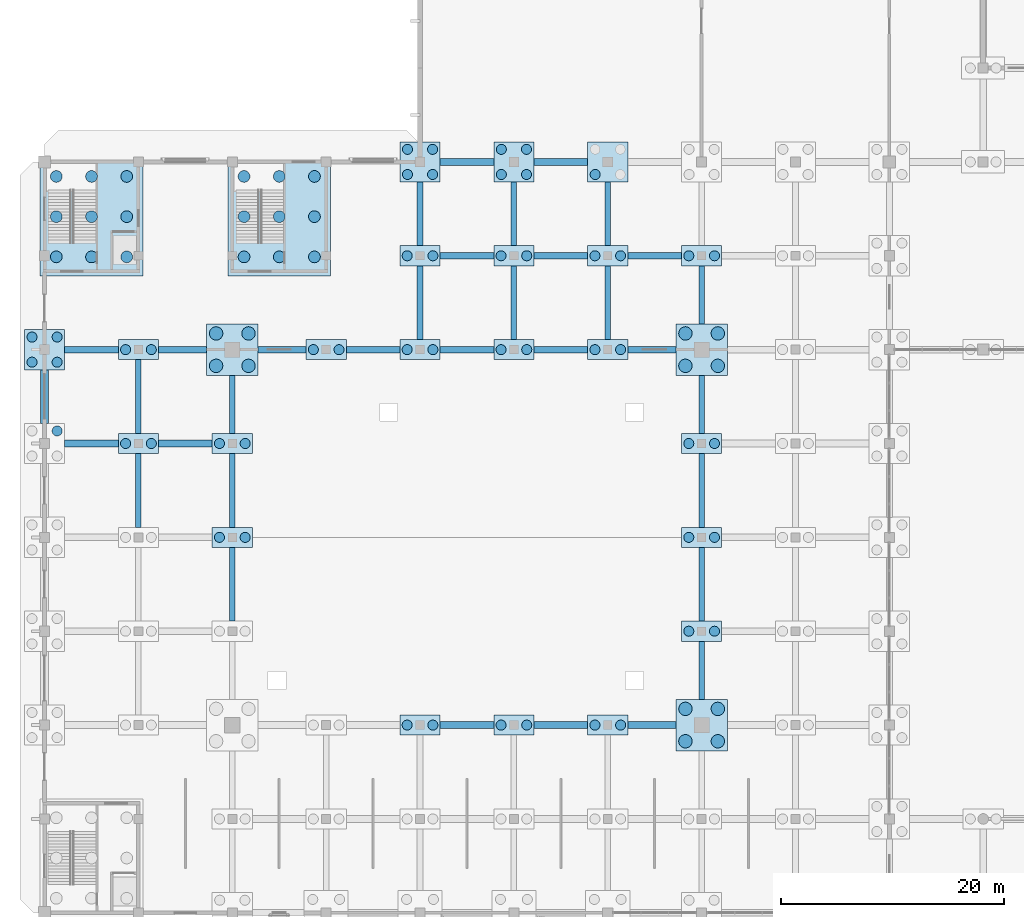
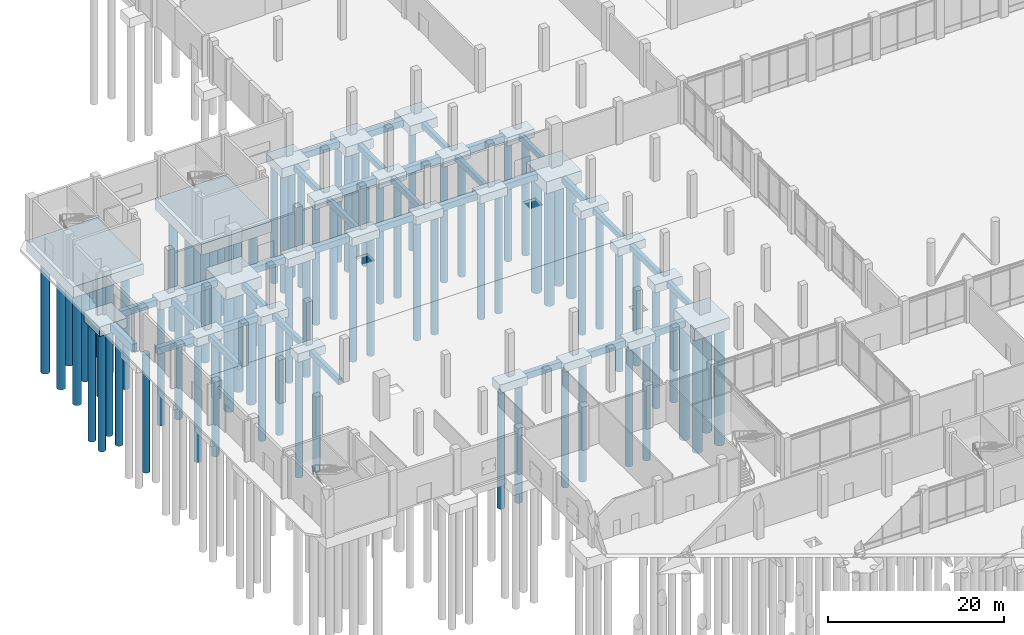
# One storey, part 5 of 72: 80 piles, 61 footings.
"""IFC4 building model written with IfcOpenShell, lengths in metres."""

from ifc_helpers import new_model, si_unit, direction, frame, origin, origin_2d, place, context, subcontext, project, spatial, rectangle, circle, extrude, material, layer, layer_set, material_profile, profile_set, type_object, element, save


model = new_model("IFC4")

# Units and contexts
model_context = context("Model", 3, precision=1e-05, world=origin(), true_north=direction((0.0, 1.0)))
body_context = subcontext(model_context, "Body", "Model", "MODEL_VIEW")
ifc_project = project(units=[si_unit("LENGTHUNIT", "METRE"), si_unit("AREAUNIT", "SQUARE_METRE"), si_unit("VOLUMEUNIT", "CUBIC_METRE"), si_unit("PLANEANGLEUNIT", "RADIAN"), si_unit("MASSUNIT", "GRAM", prefix="KILO")], contexts=[model_context])

# Site, building, storey
site_placement = place(None, origin())
site = spatial("IfcSite", under=ifc_project, at=site_placement, CompositionType="ELEMENT")
building_placement = place(site_placement, origin())
building = spatial("IfcBuilding", under=site, at=building_placement, Name="Qawsi Khor Wholesale Market", CompositionType="ELEMENT")
storey_placement = place(building_placement, origin())
storey = spatial("IfcBuildingStorey", under=building, at=storey_placement, Name="L00", CompositionType="ELEMENT", Elevation=0.0)

# Piles
ifc_material = material(Name="Concrete C45/55", Category="concrete")
ifc_material_profile_1 = material_profile(ifc_material, circle(Radius=0.52490234375, at=origin_2d()), Name="PILE D1050")
ifc_profile_set_1 = profile_set([ifc_material_profile_1], Name="Concrete C45/55")
pile_type_1 = type_object("IfcPileType", Name="Bored Pile D1050 C45/55", PredefinedType="BORED", material=ifc_profile_set_1)
for number, where, z_axis, x_axis, name in (
    (1, (1.050048828125, 100.699951171875, -1.800048828125), (0.0, 0.0, -1.0), (1.0, 0.0, 0.0), "Core bored pile C08-01"),
    (2, (1.050048828125, 104.300048828125, -1.800048828125), (0.0, 0.0, -1.0), (1.0, 0.0, 0.0), "Core bored pile C08-02"),
    (3, (1.050048828125, 107.89990234375, -1.800048828125), (0.0, 0.0, -1.0), (1.0, 0.0, 0.0), "Core bored pile C08-03"),
    (4, (4.199951171875, 100.699951171875, -1.800048828125), (0.0, 0.0, -1.0), (1.0, 0.0, 0.0), "Core bored pile C08-04"),
    (5, (4.199951171875, 104.300048828125, -1.800048828125), (0.0, 0.0, -1.0), (1.0, 0.0, 0.0), "Core bored pile C08-05"),
    (6, (4.199951171875, 107.89990234375, -1.800048828125), (0.0, 0.0, -1.0), (1.0, 0.0, 0.0), "Core bored pile C08-06"),
    (7, (7.35009765625, 100.699951171875, -1.800048828125), (0.0, 0.0, -1.0), (1.0, 0.0, 0.0), "Core bored pile C08-07"),
    (8, (7.35009765625, 104.300048828125, -1.800048828125), (0.0, 0.0, -1.0), (1.0, 0.0, 0.0), "Core bored pile C08-08"),
    (9, (7.35009765625, 107.89990234375, -1.800048828125), (0.0, 0.0, -1.0), (1.0, 0.0, 0.0), "Core bored pile C08-09"),
    (10, (17.85009765625, 100.699951171875, -1.800048828125), (0.0, 0.0, -1.0), (1.0, 0.0, 0.0), "Core bored pile C09-01"),
    (11, (17.85009765625, 104.300048828125, -1.800048828125), (0.0, 0.0, -1.0), (1.0, 0.0, 0.0), "Core bored pile C09-02"),
    (12, (17.85009765625, 107.89990234375, -1.800048828125), (0.0, 0.0, -1.0), (1.0, 0.0, 0.0), "Core bored pile C09-03"),
    (13, (21.0, 100.699951171875, -1.800048828125), (0.0, 0.0, -1.0), (1.0, 0.0, 0.0), "Core bored pile C09-04"),
    (14, (21.0, 104.300048828125, -1.800048828125), (0.0, 0.0, -1.0), (1.0, 0.0, 0.0), "Core bored pile C09-05"),
    (15, (21.0, 107.89990234375, -1.800048828125), (0.0, 0.0, -1.0), (1.0, 0.0, 0.0), "Core bored pile C09-06"),
    (16, (24.14990234375, 100.699951171875, -1.800048828125), (0.0, 0.0, -1.0), (1.0, 0.0, 0.0), "Core bored pile C09-07"),
    (17, (24.14990234375, 104.300048828125, -1.800048828125), (0.0, 0.0, -1.0), (1.0, 0.0, 0.0), "Core bored pile C09-08"),
    (18, (24.14990234375, 107.89990234375, -1.800048828125), (0.0, 0.0, -1.0), (1.0, 0.0, 0.0), "Core bored pile C09-09"),
):
    element("IfcPile", number, at=place(storey_placement, frame(where, z_axis=z_axis, x_axis=x_axis)), inside=storey, type_object=pile_type_1, Name=name, PredefinedType="BORED", context=body_context, shape_type="SweptSolid", body=[
        extrude(circle(Radius=0.52490234375, at=origin_2d()), origin(), (0.0, 0.0, 1.0), 16.199951171875),
    ])
ifc_material_profile_2 = material_profile(ifc_material, circle(Radius=0.60009765625, at=origin_2d()), Name="PILE D1200")
ifc_profile_set_2 = profile_set([ifc_material_profile_2], Name="Concrete C45/55")
pile_type_2 = type_object("IfcPileType", Name="Bored Pile D1200 C45/55", PredefinedType="BORED", material=ifc_profile_set_2)
for number, where, z_axis, x_axis, name in (
    (19, (15.35009765625, 90.949951171875, -1.93994140625), (0.0, 0.0, -1.0), (1.0, 0.0, 0.0), "Mega-column pile 02_+11-1"),
    (20, (18.25, 90.949951171875, -1.93994140625), (0.0, 0.0, -1.0), (1.0, 0.0, 0.0), "Mega-column pile 02_+11-2"),
    (21, (15.35009765625, 93.85009765625, -1.93994140625), (0.0, 0.0, -1.0), (1.0, 0.0, 0.0), "Mega-column pile 02_+11-3"),
    (22, (18.25, 93.85009765625, -1.93994140625), (0.0, 0.0, -1.0), (1.0, 0.0, 0.0), "Mega-column pile 02_+11-4"),
    (23, (57.35009765625, 57.35009765625, -1.93994140625), (0.0, 0.0, -1.0), (1.0, 0.0, 0.0), "Mega-column pile 07_+07-1"),
    (24, (60.25, 57.35009765625, -1.93994140625), (0.0, 0.0, -1.0), (1.0, 0.0, 0.0), "Mega-column pile 07_+07-2"),
    (25, (57.35009765625, 60.25, -1.93994140625), (0.0, 0.0, -1.0), (1.0, 0.0, 0.0), "Mega-column pile 07_+07-3"),
    (26, (60.25, 60.25, -1.93994140625), (0.0, 0.0, -1.0), (1.0, 0.0, 0.0), "Mega-column pile 07_+07-4"),
    (27, (57.35009765625, 90.949951171875, -1.93994140625), (0.0, 0.0, -1.0), (1.0, 0.0, 0.0), "Mega-column pile 07_+11-1"),
    (28, (60.25, 90.949951171875, -1.93994140625), (0.0, 0.0, -1.0), (1.0, 0.0, 0.0), "Mega-column pile 07_+11-2"),
    (29, (57.35009765625, 93.85009765625, -1.93994140625), (0.0, 0.0, -1.0), (1.0, 0.0, 0.0), "Mega-column pile 07_+11-3"),
    (30, (60.25, 93.85009765625, -1.93994140625), (0.0, 0.0, -1.0), (1.0, 0.0, 0.0), "Mega-column pile 07_+11-4"),
):
    element("IfcPile", number, at=place(storey_placement, frame(where, z_axis=z_axis, x_axis=x_axis)), inside=storey, type_object=pile_type_2, Name=name, PredefinedType="BORED", context=body_context, shape_type="SweptSolid", body=[
        extrude(circle(Radius=0.60009765625, at=origin_2d()), origin(), (0.0, 0.0, 1.0), 16.06005859375),
    ])
ifc_material_profile_3 = material_profile(ifc_material, circle(Radius=0.449951171875, at=origin_2d()), Name="PILE D900")
ifc_profile_set_3 = profile_set([ifc_material_profile_3], Name="Concrete C45/55")
pile_type_3 = type_object("IfcPileType", Name="Bored Pile D900 C45/55", PredefinedType="BORED", material=ifc_profile_set_3)
for number, where, z_axis, x_axis, name in (
    (31, (1.125, 85.125, -1.610107421875), (0.0, 0.0, -1.0), (1.0, 0.0, 0.0), "Bored pile 00_+10-4"),
    (32, (-1.125, 91.27490234375, -1.610107421875), (0.0, 0.0, -1.0), (1.0, 0.0, 0.0), "Bored pile 00_+11-1"),
    (33, (1.125, 91.27490234375, -1.610107421875), (0.0, 0.0, -1.0), (1.0, 0.0, 0.0), "Bored pile 00_+11-2"),
    (34, (-1.125, 93.52490234375, -1.610107421875), (0.0, 0.0, -1.0), (1.0, 0.0, 0.0), "Bored pile 00_+11-3"),
    (35, (1.125, 93.52490234375, -1.610107421875), (0.0, 0.0, -1.0), (1.0, 0.0, 0.0), "Bored pile 00_+11-4"),
):
    element("IfcPile", number, at=place(storey_placement, frame(where, z_axis=z_axis, x_axis=x_axis)), inside=storey, type_object=pile_type_3, Name=name, PredefinedType="BORED", context=body_context, shape_type="SweptSolid", body=[
        extrude(circle(Radius=0.449951171875, at=origin_2d()), origin(), (0.0, 0.0, 1.0), 16.389892578125),
    ])
for number, where, z_axis, x_axis, name in (
    (36, (7.25, 84.0, -1.5), (0.0, 0.0, -1.0), (1.0, 0.0, 0.0), "Bored pile 01_+10-1"),
    (37, (9.550048828125, 84.0, -1.5), (0.0, 0.0, -1.0), (1.0, 0.0, 0.0), "Bored pile 01_+10-2"),
    (38, (7.25, 92.39990234375, -1.5), (0.0, 0.0, -1.0), (1.0, 0.0, 0.0), "Bored pile 01_+11-1"),
    (39, (9.550048828125, 92.39990234375, -1.5), (0.0, 0.0, -1.0), (1.0, 0.0, 0.0), "Bored pile 01_+11-2"),
    (40, (15.64990234375, 75.60009765625, -1.5), (0.0, 0.0, -1.0), (1.0, 0.0, 0.0), "Bored pile 02_+09-1"),
    (41, (17.949951171875, 75.60009765625, -1.5), (0.0, 0.0, -1.0), (1.0, 0.0, 0.0), "Bored pile 02_+09-2"),
    (42, (15.64990234375, 84.0, -1.5), (0.0, 0.0, -1.0), (1.0, 0.0, 0.0), "Bored pile 02_+10-1"),
    (43, (17.949951171875, 84.0, -1.5), (0.0, 0.0, -1.0), (1.0, 0.0, 0.0), "Bored pile 02_+10-2"),
    (44, (24.050048828125, 92.39990234375, -1.5), (0.0, 0.0, -1.0), (1.0, 0.0, 0.0), "Bored pile 03_+11-1"),
    (45, (26.35009765625, 92.39990234375, -1.5), (0.0, 0.0, -1.0), (1.0, 0.0, 0.0), "Bored pile 03_+11-2"),
    (46, (32.449951171875, 58.800048828125, -1.5), (0.0, 0.0, -1.0), (1.0, 0.0, 0.0), "Bored pile 04_+07-1"),
    (47, (34.75, 58.800048828125, -1.5), (0.0, 0.0, -1.0), (1.0, 0.0, 0.0), "Bored pile 04_+07-2"),
    (48, (32.449951171875, 92.39990234375, -1.5), (0.0, 0.0, -1.0), (1.0, 0.0, 0.0), "Bored pile 04_+11-1"),
    (49, (34.75, 92.39990234375, -1.5), (0.0, 0.0, -1.0), (1.0, 0.0, 0.0), "Bored pile 04_+11-2"),
    (50, (32.449951171875, 100.800048828125, -1.5), (0.0, 0.0, -1.0), (1.0, 0.0, 0.0), "Bored pile 04_+12-1"),
    (51, (34.75, 100.800048828125, -1.5), (0.0, 0.0, -1.0), (1.0, 0.0, 0.0), "Bored pile 04_+12-2"),
):
    element("IfcPile", number, at=place(storey_placement, frame(where, z_axis=z_axis, x_axis=x_axis)), inside=storey, type_object=pile_type_3, Name=name, PredefinedType="BORED", context=body_context, shape_type="SweptSolid", body=[
        extrude(circle(Radius=0.449951171875, at=origin_2d()), origin(), (0.0, 0.0, 1.0), 16.5),
    ])
for number, where, z_axis, x_axis, name in (
    (52, (32.47509765625, 108.074951171875, -1.610107421875), (0.0, 0.0, -1.0), (1.0, 0.0, 0.0), "Bored pile 04_+13-1"),
    (53, (34.72509765625, 108.074951171875, -1.610107421875), (0.0, 0.0, -1.0), (1.0, 0.0, 0.0), "Bored pile 04_+13-2"),
    (54, (32.47509765625, 110.324951171875, -1.610107421875), (0.0, 0.0, -1.0), (1.0, 0.0, 0.0), "Bored pile 04_+13-3"),
    (55, (34.72509765625, 110.324951171875, -1.610107421875), (0.0, 0.0, -1.0), (1.0, 0.0, 0.0), "Bored pile 04_+13-4"),
):
    element("IfcPile", number, at=place(storey_placement, frame(where, z_axis=z_axis, x_axis=x_axis)), inside=storey, type_object=pile_type_3, Name=name, PredefinedType="BORED", context=body_context, shape_type="SweptSolid", body=[
        extrude(circle(Radius=0.449951171875, at=origin_2d()), origin(), (0.0, 0.0, 1.0), 16.389892578125),
    ])
for number, where, z_axis, x_axis, name in (
    (56, (40.85009765625, 58.800048828125, -1.5), (0.0, 0.0, -1.0), (1.0, 0.0, 0.0), "Bored pile 05_+07-1"),
    (57, (43.14990234375, 58.800048828125, -1.5), (0.0, 0.0, -1.0), (1.0, 0.0, 0.0), "Bored pile 05_+07-2"),
    (58, (40.85009765625, 92.39990234375, -1.5), (0.0, 0.0, -1.0), (1.0, 0.0, 0.0), "Bored pile 05_+11-1"),
    (59, (43.14990234375, 92.39990234375, -1.5), (0.0, 0.0, -1.0), (1.0, 0.0, 0.0), "Bored pile 05_+11-2"),
    (60, (40.85009765625, 100.800048828125, -1.5), (0.0, 0.0, -1.0), (1.0, 0.0, 0.0), "Bored pile 05_+12-1"),
    (61, (43.14990234375, 100.800048828125, -1.5), (0.0, 0.0, -1.0), (1.0, 0.0, 0.0), "Bored pile 05_+12-2"),
):
    element("IfcPile", number, at=place(storey_placement, frame(where, z_axis=z_axis, x_axis=x_axis)), inside=storey, type_object=pile_type_3, Name=name, PredefinedType="BORED", context=body_context, shape_type="SweptSolid", body=[
        extrude(circle(Radius=0.449951171875, at=origin_2d()), origin(), (0.0, 0.0, 1.0), 16.5),
    ])
for number, where, z_axis, x_axis, name in (
    (62, (40.875, 108.074951171875, -1.610107421875), (0.0, 0.0, -1.0), (1.0, 0.0, 0.0), "Bored pile 05_+13-1"),
    (63, (43.125, 108.074951171875, -1.610107421875), (0.0, 0.0, -1.0), (1.0, 0.0, 0.0), "Bored pile 05_+13-2"),
    (64, (40.875, 110.324951171875, -1.610107421875), (0.0, 0.0, -1.0), (1.0, 0.0, 0.0), "Bored pile 05_+13-3"),
    (65, (43.125, 110.324951171875, -1.610107421875), (0.0, 0.0, -1.0), (1.0, 0.0, 0.0), "Bored pile 05_+13-4"),
):
    element("IfcPile", number, at=place(storey_placement, frame(where, z_axis=z_axis, x_axis=x_axis)), inside=storey, type_object=pile_type_3, Name=name, PredefinedType="BORED", context=body_context, shape_type="SweptSolid", body=[
        extrude(circle(Radius=0.449951171875, at=origin_2d()), origin(), (0.0, 0.0, 1.0), 16.389892578125),
    ])
for number, where, z_axis, x_axis, name in (
    (66, (49.25, 58.800048828125, -1.5), (0.0, 0.0, -1.0), (1.0, 0.0, 0.0), "Bored pile 06_+07-1"),
    (67, (51.550048828125, 58.800048828125, -1.5), (0.0, 0.0, -1.0), (1.0, 0.0, 0.0), "Bored pile 06_+07-2"),
    (68, (49.25, 92.39990234375, -1.5), (0.0, 0.0, -1.0), (1.0, 0.0, 0.0), "Bored pile 06_+11-1"),
    (69, (51.550048828125, 92.39990234375, -1.5), (0.0, 0.0, -1.0), (1.0, 0.0, 0.0), "Bored pile 06_+11-2"),
    (70, (49.25, 100.800048828125, -1.5), (0.0, 0.0, -1.0), (1.0, 0.0, 0.0), "Bored pile 06_+12-1"),
    (71, (51.550048828125, 100.800048828125, -1.5), (0.0, 0.0, -1.0), (1.0, 0.0, 0.0), "Bored pile 06_+12-2"),
):
    element("IfcPile", number, at=place(storey_placement, frame(where, z_axis=z_axis, x_axis=x_axis)), inside=storey, type_object=pile_type_3, Name=name, PredefinedType="BORED", context=body_context, shape_type="SweptSolid", body=[
        extrude(circle(Radius=0.449951171875, at=origin_2d()), origin(), (0.0, 0.0, 1.0), 16.5),
    ])
pile_placement = place(storey_placement, frame((49.27490234375, 108.074951171875, -1.610107421875), z_axis=(0.0, 0.0, -1.0), x_axis=(1.0, 0.0, 0.0)))
element("IfcPile", 72, at=pile_placement, inside=storey, type_object=pile_type_3, Name="Bored pile 06_+13-1", PredefinedType="BORED", context=body_context, shape_type="SweptSolid", body=[
    extrude(circle(Radius=0.449951171875, at=origin_2d()), origin(), (0.0, 0.0, 1.0), 16.389892578125),
])
for number, where, z_axis, x_axis, name in (
    (73, (57.64990234375, 67.199951171875, -1.5), (0.0, 0.0, -1.0), (1.0, 0.0, 0.0), "Bored pile 07_+08-1"),
    (74, (59.949951171875, 67.199951171875, -1.5), (0.0, 0.0, -1.0), (1.0, 0.0, 0.0), "Bored pile 07_+08-2"),
    (75, (57.64990234375, 75.60009765625, -1.5), (0.0, 0.0, -1.0), (1.0, 0.0, 0.0), "Bored pile 07_+09-1"),
    (76, (59.949951171875, 75.60009765625, -1.5), (0.0, 0.0, -1.0), (1.0, 0.0, 0.0), "Bored pile 07_+09-2"),
    (77, (57.64990234375, 84.0, -1.5), (0.0, 0.0, -1.0), (1.0, 0.0, 0.0), "Bored pile 07_+10-1"),
    (78, (59.949951171875, 84.0, -1.5), (0.0, 0.0, -1.0), (1.0, 0.0, 0.0), "Bored pile 07_+10-2"),
    (79, (57.64990234375, 100.800048828125, -1.5), (0.0, 0.0, -1.0), (1.0, 0.0, 0.0), "Bored pile 07_+12-1"),
    (80, (59.949951171875, 100.800048828125, -1.5), (0.0, 0.0, -1.0), (1.0, 0.0, 0.0), "Bored pile 07_+12-2"),
):
    element("IfcPile", number, at=place(storey_placement, frame(where, z_axis=z_axis, x_axis=x_axis)), inside=storey, type_object=pile_type_3, Name=name, PredefinedType="BORED", context=body_context, shape_type="SweptSolid", body=[
        extrude(circle(Radius=0.449951171875, at=origin_2d()), origin(), (0.0, 0.0, 1.0), 16.5),
    ])

# Footings
ifc_layer_1 = layer(ifc_material, 1.52001953125, Name="Concrete C45/55")
ifc_layer_set_1 = layer_set([ifc_layer_1], Name="Concrete C45/55")
footing_type_1 = type_object("IfcFootingType", Name="Core Pile Raft CR-9P 9200x10600x1520", PredefinedType="PILE_CAP", material=ifc_layer_set_1)
for number, where, z_axis, x_axis, name in (
    (81, (4.199951171875, 104.300048828125, -1.880126953125), (0.0, 0.0, 1.0), (1.0, 0.0, 0.0), "Core pile raft C08"),
    (82, (21.0, 104.300048828125, -1.880126953125), (0.0, 0.0, 1.0), (1.0, 0.0, 0.0), "Core pile raft C09"),
):
    element("IfcFooting", number, at=place(storey_placement, frame(where, z_axis=z_axis, x_axis=x_axis)), inside=storey, type_object=footing_type_1, Name=name, PredefinedType="PILE_CAP", context=body_context, shape_type="SweptSolid", body=[
        extrude(rectangle(XDim=9.199951171875, YDim=10.60009765625, at=origin_2d()), origin(), (0.0, 0.0, 1.0), 1.52001953125),
    ])
ifc_material_profile_4 = material_profile(ifc_material, rectangle(XDim=0.60009765625, YDim=0.89990234375, at=origin_2d()), Name="RC 600x900")
ifc_profile_set_4 = profile_set([ifc_material_profile_4], Name="Concrete C45/55")
footing_type_2 = type_object("IfcFootingType", Name="Ground Tie-Beam GTB 600x900", PredefinedType="FOOTING_BEAM", material=ifc_profile_set_4)
for number, where, z_axis, x_axis, name in (
    (83, (1.800048828125, 84.0, -0.840087890625), (1.0, 0.0, 0.0), (0.0, 1.0, 0.0), "Ground tie-beam X 0-1 at Y=84.0"),
    (84, (1.800048828125, 92.39990234375, -0.840087890625), (1.0, 0.0, 0.0), (0.0, 1.0, 0.0), "Ground tie-beam X 0-1 at Y=92.4"),
    (85, (10.199951171875, 84.0, -0.840087890625), (1.0, 0.0, 0.0), (0.0, 1.0, 0.0), "Ground tie-beam X 1-2 at Y=84.0"),
):
    element("IfcFooting", number, at=place(storey_placement, frame(where, z_axis=z_axis, x_axis=x_axis)), inside=storey, type_object=footing_type_2, Name=name, PredefinedType="FOOTING_BEAM", context=body_context, shape_type="SweptSolid", body=[
        extrude(rectangle(XDim=0.60009765625, YDim=0.89990234375, at=origin_2d()), origin(), (0.0, 0.0, 1.0), 4.800048828125),
    ])
footing_1_placement = place(storey_placement, frame((10.199951171875, 92.39990234375, -0.840087890625), z_axis=(1.0, 0.0, 0.0), x_axis=(0.0, 1.0, 0.0)))
element("IfcFooting", 86, at=footing_1_placement, inside=storey, type_object=footing_type_2, Name="Ground tie-beam X 1-2 at Y=92.4", PredefinedType="FOOTING_BEAM", context=body_context, shape_type="SweptSolid", body=[
    extrude(rectangle(XDim=0.60009765625, YDim=0.89990234375, at=origin_2d()), origin(), (0.0, 0.0, 1.0), 4.300048828125),
])
footing_2_placement = place(storey_placement, frame((19.10009765625, 92.39990234375, -0.840087890625), z_axis=(1.0, 0.0, 0.0), x_axis=(0.0, 1.0, 0.0)))
element("IfcFooting", 87, at=footing_2_placement, inside=storey, type_object=footing_type_2, Name="Ground tie-beam X 2-3 at Y=92.4", PredefinedType="FOOTING_BEAM", context=body_context, shape_type="SweptSolid", body=[
    extrude(rectangle(XDim=0.60009765625, YDim=0.89990234375, at=origin_2d()), origin(), (0.0, 0.0, 1.0), 4.2998046875),
])
for number, where, z_axis, x_axis, name in (
    (88, (27.0, 92.39990234375, -0.840087890625), (1.0, 0.0, 0.0), (0.0, 1.0, 0.0), "Ground tie-beam X 3-4 at Y=92.4"),
    (89, (35.39990234375, 58.800048828125, -0.840087890625), (1.0, 0.0, 0.0), (0.0, 1.0, 0.0), "Ground tie-beam X 4-5 at Y=58.8"),
    (90, (35.39990234375, 92.39990234375, -0.840087890625), (1.0, 0.0, 0.0), (0.0, 1.0, 0.0), "Ground tie-beam X 4-5 at Y=92.4"),
    (91, (35.39990234375, 100.800048828125, -0.840087890625), (1.0, 0.0, 0.0), (0.0, 1.0, 0.0), "Ground tie-beam X 4-5 at Y=100.8"),
    (92, (35.39990234375, 109.199951171875, -0.840087890625), (1.0, 0.0, 0.0), (0.0, 1.0, 0.0), "Ground tie-beam X 4-5 at Y=109.2"),
    (93, (43.800048828125, 58.800048828125, -0.840087890625), (1.0, 0.0, 0.0), (0.0, 1.0, 0.0), "Ground tie-beam X 5-6 at Y=58.8"),
    (94, (43.800048828125, 92.39990234375, -0.840087890625), (1.0, 0.0, 0.0), (0.0, 1.0, 0.0), "Ground tie-beam X 5-6 at Y=92.4"),
    (95, (43.800048828125, 100.800048828125, -0.840087890625), (1.0, 0.0, 0.0), (0.0, 1.0, 0.0), "Ground tie-beam X 5-6 at Y=100.8"),
    (96, (43.800048828125, 109.199951171875, -0.840087890625), (1.0, 0.0, 0.0), (0.0, 1.0, 0.0), "Ground tie-beam X 5-6 at Y=109.2"),
):
    element("IfcFooting", number, at=place(storey_placement, frame(where, z_axis=z_axis, x_axis=x_axis)), inside=storey, type_object=footing_type_2, Name=name, PredefinedType="FOOTING_BEAM", context=body_context, shape_type="SweptSolid", body=[
        extrude(rectangle(XDim=0.60009765625, YDim=0.89990234375, at=origin_2d()), origin(), (0.0, 0.0, 1.0), 4.800048828125),
    ])
for number, where, z_axis, x_axis, name in (
    (97, (52.199951171875, 58.800048828125, -0.840087890625), (1.0, 0.0, 0.0), (0.0, 1.0, 0.0), "Ground tie-beam X 6-7 at Y=58.8"),
    (98, (52.199951171875, 92.39990234375, -0.840087890625), (1.0, 0.0, 0.0), (0.0, 1.0, 0.0), "Ground tie-beam X 6-7 at Y=92.4"),
):
    element("IfcFooting", number, at=place(storey_placement, frame(where, z_axis=z_axis, x_axis=x_axis)), inside=storey, type_object=footing_type_2, Name=name, PredefinedType="FOOTING_BEAM", context=body_context, shape_type="SweptSolid", body=[
        extrude(rectangle(XDim=0.60009765625, YDim=0.89990234375, at=origin_2d()), origin(), (0.0, 0.0, 1.0), 4.300048828125),
    ])
footing_3_placement = place(storey_placement, frame((52.199951171875, 100.800048828125, -0.840087890625), z_axis=(1.0, 0.0, 0.0), x_axis=(0.0, 1.0, 0.0)))
element("IfcFooting", 99, at=footing_3_placement, inside=storey, type_object=footing_type_2, Name="Ground tie-beam X 6-7 at Y=100.8", PredefinedType="FOOTING_BEAM", context=body_context, shape_type="SweptSolid", body=[
    extrude(rectangle(XDim=0.60009765625, YDim=0.89990234375, at=origin_2d()), origin(), (0.0, 0.0, 1.0), 4.800048828125),
])
ifc_material_profile_5 = material_profile(ifc_material, rectangle(XDim=0.5, YDim=0.800048828125, at=origin_2d()), Name="RC 500x800")
ifc_profile_set_5 = profile_set([ifc_material_profile_5], Name="Concrete C45/55")
footing_type_3 = type_object("IfcFootingType", Name="Hall Tie-Beam GTB 500x800", PredefinedType="FOOTING_BEAM", material=ifc_profile_set_5)
for number, where, z_axis, x_axis, name in (
    (100, (8.39990234375, 76.5, -0.7900390625), (0.0, 1.0, 0.0), (-1.0, 0.0, 0.0), "Ground tie-beam Y 9-10 at X=8.4"),
    (101, (8.39990234375, 84.89990234375, -0.7900390625), (0.0, 1.0, 0.0), (-1.0, 0.0, 0.0), "Ground tie-beam Y 10-11 at X=8.4"),
):
    element("IfcFooting", number, at=place(storey_placement, frame(where, z_axis=z_axis, x_axis=x_axis)), inside=storey, type_object=footing_type_3, Name=name, PredefinedType="FOOTING_BEAM", context=body_context, shape_type="SweptSolid", body=[
        extrude(rectangle(XDim=0.5, YDim=0.800048828125, at=origin_2d()), origin(), (0.0, 0.0, 1.0), 6.60009765625),
    ])
footing_4_placement = place(storey_placement, frame((16.800048828125, 68.10009765625, -0.7900390625), z_axis=(0.0, 1.0, 0.0), x_axis=(-1.0, 0.0, 0.0)))
element("IfcFooting", 102, at=footing_4_placement, inside=storey, type_object=footing_type_3, Name="Ground tie-beam Y 8-9 at X=16.8", PredefinedType="FOOTING_BEAM", context=body_context, shape_type="SweptSolid", body=[
    extrude(rectangle(XDim=0.5, YDim=0.800048828125, at=origin_2d()), origin(), (0.0, 0.0, 1.0), 6.599853515625),
])
footing_5_placement = place(storey_placement, frame((16.800048828125, 76.5, -0.7900390625), z_axis=(0.0, 1.0, 0.0), x_axis=(-1.0, 0.0, 0.0)))
element("IfcFooting", 103, at=footing_5_placement, inside=storey, type_object=footing_type_3, Name="Ground tie-beam Y 9-10 at X=16.8", PredefinedType="FOOTING_BEAM", context=body_context, shape_type="SweptSolid", body=[
    extrude(rectangle(XDim=0.5, YDim=0.800048828125, at=origin_2d()), origin(), (0.0, 0.0, 1.0), 6.60009765625),
])
footing_6_placement = place(storey_placement, frame((16.800048828125, 84.89990234375, -0.7900390625), z_axis=(0.0, 1.0, 0.0), x_axis=(-1.0, 0.0, 0.0)))
element("IfcFooting", 104, at=footing_6_placement, inside=storey, type_object=footing_type_3, Name="Ground tie-beam Y 10-11 at X=16.8", PredefinedType="FOOTING_BEAM", context=body_context, shape_type="SweptSolid", body=[
    extrude(rectangle(XDim=0.5, YDim=0.800048828125, at=origin_2d()), origin(), (0.0, 0.0, 1.0), 5.2001953125),
])
footing_7_placement = place(storey_placement, frame((33.60009765625, 93.300048828125, -0.7900390625), z_axis=(0.0, 1.0, 0.0), x_axis=(-1.0, 0.0, 0.0)))
element("IfcFooting", 105, at=footing_7_placement, inside=storey, type_object=footing_type_3, Name="Ground tie-beam Y 11-12 at X=33.6", PredefinedType="FOOTING_BEAM", context=body_context, shape_type="SweptSolid", body=[
    extrude(rectangle(XDim=0.5, YDim=0.800048828125, at=origin_2d()), origin(), (0.0, 0.0, 1.0), 6.599853515625),
])
footing_8_placement = place(storey_placement, frame((33.60009765625, 101.699951171875, -0.7900390625), z_axis=(0.0, 1.0, 0.0), x_axis=(-1.0, 0.0, 0.0)))
element("IfcFooting", 106, at=footing_8_placement, inside=storey, type_object=footing_type_3, Name="Ground tie-beam Y 12-13 at X=33.6", PredefinedType="FOOTING_BEAM", context=body_context, shape_type="SweptSolid", body=[
    extrude(rectangle(XDim=0.5, YDim=0.800048828125, at=origin_2d()), origin(), (0.0, 0.0, 1.0), 5.699951171875),
])
footing_9_placement = place(storey_placement, frame((42.0, 93.300048828125, -0.7900390625), z_axis=(0.0, 1.0, 0.0), x_axis=(-1.0, 0.0, 0.0)))
element("IfcFooting", 107, at=footing_9_placement, inside=storey, type_object=footing_type_3, Name="Ground tie-beam Y 11-12 at X=42.0", PredefinedType="FOOTING_BEAM", context=body_context, shape_type="SweptSolid", body=[
    extrude(rectangle(XDim=0.5, YDim=0.800048828125, at=origin_2d()), origin(), (0.0, 0.0, 1.0), 6.599853515625),
])
footing_10_placement = place(storey_placement, frame((42.0, 101.699951171875, -0.7900390625), z_axis=(0.0, 1.0, 0.0), x_axis=(-1.0, 0.0, 0.0)))
element("IfcFooting", 108, at=footing_10_placement, inside=storey, type_object=footing_type_3, Name="Ground tie-beam Y 12-13 at X=42.0", PredefinedType="FOOTING_BEAM", context=body_context, shape_type="SweptSolid", body=[
    extrude(rectangle(XDim=0.5, YDim=0.800048828125, at=origin_2d()), origin(), (0.0, 0.0, 1.0), 5.699951171875),
])
footing_11_placement = place(storey_placement, frame((50.39990234375, 93.300048828125, -0.7900390625), z_axis=(0.0, 1.0, 0.0), x_axis=(-1.0, 0.0, 0.0)))
element("IfcFooting", 109, at=footing_11_placement, inside=storey, type_object=footing_type_3, Name="Ground tie-beam Y 11-12 at X=50.4", PredefinedType="FOOTING_BEAM", context=body_context, shape_type="SweptSolid", body=[
    extrude(rectangle(XDim=0.5, YDim=0.800048828125, at=origin_2d()), origin(), (0.0, 0.0, 1.0), 6.599853515625),
])
footing_12_placement = place(storey_placement, frame((50.39990234375, 101.699951171875, -0.7900390625), z_axis=(0.0, 1.0, 0.0), x_axis=(-1.0, 0.0, 0.0)))
element("IfcFooting", 110, at=footing_12_placement, inside=storey, type_object=footing_type_3, Name="Ground tie-beam Y 12-13 at X=50.4", PredefinedType="FOOTING_BEAM", context=body_context, shape_type="SweptSolid", body=[
    extrude(rectangle(XDim=0.5, YDim=0.800048828125, at=origin_2d()), origin(), (0.0, 0.0, 1.0), 5.699951171875),
])
footing_13_placement = place(storey_placement, frame((58.800048828125, 61.10009765625, -0.7900390625), z_axis=(0.0, 1.0, 0.0), x_axis=(-1.0, 0.0, 0.0)))
element("IfcFooting", 111, at=footing_13_placement, inside=storey, type_object=footing_type_3, Name="Ground tie-beam Y 7-8 at X=58.8", PredefinedType="FOOTING_BEAM", context=body_context, shape_type="SweptSolid", body=[
    extrude(rectangle(XDim=0.5, YDim=0.800048828125, at=origin_2d()), origin(), (0.0, 0.0, 1.0), 5.199951171875),
])
footing_14_placement = place(storey_placement, frame((58.800048828125, 68.10009765625, -0.7900390625), z_axis=(0.0, 1.0, 0.0), x_axis=(-1.0, 0.0, 0.0)))
element("IfcFooting", 112, at=footing_14_placement, inside=storey, type_object=footing_type_3, Name="Ground tie-beam Y 8-9 at X=58.8", PredefinedType="FOOTING_BEAM", context=body_context, shape_type="SweptSolid", body=[
    extrude(rectangle(XDim=0.5, YDim=0.800048828125, at=origin_2d()), origin(), (0.0, 0.0, 1.0), 6.599853515625),
])
footing_15_placement = place(storey_placement, frame((58.800048828125, 76.5, -0.7900390625), z_axis=(0.0, 1.0, 0.0), x_axis=(-1.0, 0.0, 0.0)))
element("IfcFooting", 113, at=footing_15_placement, inside=storey, type_object=footing_type_3, Name="Ground tie-beam Y 9-10 at X=58.8", PredefinedType="FOOTING_BEAM", context=body_context, shape_type="SweptSolid", body=[
    extrude(rectangle(XDim=0.5, YDim=0.800048828125, at=origin_2d()), origin(), (0.0, 0.0, 1.0), 6.60009765625),
])
footing_16_placement = place(storey_placement, frame((58.800048828125, 84.89990234375, -0.7900390625), z_axis=(0.0, 1.0, 0.0), x_axis=(-1.0, 0.0, 0.0)))
element("IfcFooting", 114, at=footing_16_placement, inside=storey, type_object=footing_type_3, Name="Ground tie-beam Y 10-11 at X=58.8", PredefinedType="FOOTING_BEAM", context=body_context, shape_type="SweptSolid", body=[
    extrude(rectangle(XDim=0.5, YDim=0.800048828125, at=origin_2d()), origin(), (0.0, 0.0, 1.0), 5.2001953125),
])
footing_17_placement = place(storey_placement, frame((58.800048828125, 94.699951171875, -0.7900390625), z_axis=(0.0, 1.0, 0.0), x_axis=(-1.0, 0.0, 0.0)))
element("IfcFooting", 115, at=footing_17_placement, inside=storey, type_object=footing_type_3, Name="Ground tie-beam Y 11-12 at X=58.8", PredefinedType="FOOTING_BEAM", context=body_context, shape_type="SweptSolid", body=[
    extrude(rectangle(XDim=0.5, YDim=0.800048828125, at=origin_2d()), origin(), (0.0, 0.0, 1.0), 5.199951171875),
])
ifc_layer_2 = layer(ifc_material, 1.64990234375, Name="Concrete C45/55")
ifc_layer_set_2 = layer_set([ifc_layer_2], Name="Concrete C45/55")
footing_type_4 = type_object("IfcFootingType", Name="Mega-Column Pile Cap PC-4M 4600x4600x1650", PredefinedType="PILE_CAP", material=ifc_layer_set_2)
for number, where, z_axis, x_axis, name in (
    (116, (16.800048828125, 92.39990234375, -2.010009765625), (0.0, 0.0, 1.0), (1.0, 0.0, 0.0), "Mega-column pile cap 02_+11"),
    (117, (58.800048828125, 58.800048828125, -2.010009765625), (0.0, 0.0, 1.0), (1.0, 0.0, 0.0), "Mega-column pile cap 07_+07"),
    (118, (58.800048828125, 92.39990234375, -2.010009765625), (0.0, 0.0, 1.0), (1.0, 0.0, 0.0), "Mega-column pile cap 07_+11"),
):
    element("IfcFooting", number, at=place(storey_placement, frame(where, z_axis=z_axis, x_axis=x_axis)), inside=storey, type_object=footing_type_4, Name=name, PredefinedType="PILE_CAP", context=body_context, shape_type="SweptSolid", body=[
        extrude(rectangle(XDim=4.60009765625, YDim=4.60009765625, at=origin_2d()), origin(), (0.0, 0.0, 1.0), 1.64990234375),
    ])
ifc_material_profile_6 = material_profile(ifc_material, rectangle(XDim=0.699951171875, YDim=1.10009765625, at=origin_2d()), Name="RC 700x1100")
ifc_profile_set_6 = profile_set([ifc_material_profile_6], Name="Concrete C45/55")
footing_type_5 = type_object("IfcFootingType", Name="Perimeter Strip Footing SF 700x1100", PredefinedType="STRIP_FOOTING", material=ifc_profile_set_6)
footing_18_placement = place(storey_placement, frame((0.0, 85.800048828125, -0.93994140625), z_axis=(0.0, 1.0, 0.0), x_axis=(-1.0, 0.0, 0.0)))
element("IfcFooting", 119, at=footing_18_placement, inside=storey, type_object=footing_type_5, Name="Ground tie-beam Y 10-11 at X=0.0", PredefinedType="STRIP_FOOTING", context=body_context, shape_type="SweptSolid", body=[
    extrude(rectangle(XDim=0.699951171875, YDim=1.10009765625, at=origin_2d()), origin(), (0.0, 0.0, 1.0), 4.800048828125),
])
ifc_layer_3 = layer(ifc_material, 1.14990234375, Name="Concrete C45/55")
ifc_layer_set_3 = layer_set([ifc_layer_3], Name="Concrete C45/55")
footing_type_6 = type_object("IfcFootingType", Name="Pile Cap PC-2P 3600x1800x1150", PredefinedType="PILE_CAP", material=ifc_layer_set_3)
for number, where, z_axis, x_axis, name in (
    (120, (8.39990234375, 84.0, -1.510009765625), (0.0, 0.0, 1.0), (1.0, 0.0, 0.0), "Two-pile cap 01_+10"),
    (121, (8.39990234375, 92.39990234375, -1.510009765625), (0.0, 0.0, 1.0), (1.0, 0.0, 0.0), "Two-pile cap 01_+11"),
    (122, (16.800048828125, 75.60009765625, -1.510009765625), (0.0, 0.0, 1.0), (1.0, 0.0, 0.0), "Two-pile cap 02_+09"),
    (123, (16.800048828125, 84.0, -1.510009765625), (0.0, 0.0, 1.0), (1.0, 0.0, 0.0), "Two-pile cap 02_+10"),
    (124, (25.199951171875, 92.39990234375, -1.510009765625), (0.0, 0.0, 1.0), (1.0, 0.0, 0.0), "Two-pile cap 03_+11"),
    (125, (33.60009765625, 58.800048828125, -1.510009765625), (0.0, 0.0, 1.0), (1.0, 0.0, 0.0), "Two-pile cap 04_+07"),
    (126, (33.60009765625, 92.39990234375, -1.510009765625), (0.0, 0.0, 1.0), (1.0, 0.0, 0.0), "Two-pile cap 04_+11"),
    (127, (33.60009765625, 100.800048828125, -1.510009765625), (0.0, 0.0, 1.0), (1.0, 0.0, 0.0), "Two-pile cap 04_+12"),
    (128, (42.0, 58.800048828125, -1.510009765625), (0.0, 0.0, 1.0), (1.0, 0.0, 0.0), "Two-pile cap 05_+07"),
    (129, (42.0, 92.39990234375, -1.510009765625), (0.0, 0.0, 1.0), (1.0, 0.0, 0.0), "Two-pile cap 05_+11"),
    (130, (42.0, 100.800048828125, -1.510009765625), (0.0, 0.0, 1.0), (1.0, 0.0, 0.0), "Two-pile cap 05_+12"),
    (131, (50.39990234375, 58.800048828125, -1.510009765625), (0.0, 0.0, 1.0), (1.0, 0.0, 0.0), "Two-pile cap 06_+07"),
    (132, (50.39990234375, 92.39990234375, -1.510009765625), (0.0, 0.0, 1.0), (1.0, 0.0, 0.0), "Two-pile cap 06_+11"),
    (133, (50.39990234375, 100.800048828125, -1.510009765625), (0.0, 0.0, 1.0), (1.0, 0.0, 0.0), "Two-pile cap 06_+12"),
    (134, (58.800048828125, 67.199951171875, -1.510009765625), (0.0, 0.0, 1.0), (1.0, 0.0, 0.0), "Two-pile cap 07_+08"),
    (135, (58.800048828125, 75.60009765625, -1.510009765625), (0.0, 0.0, 1.0), (1.0, 0.0, 0.0), "Two-pile cap 07_+09"),
    (136, (58.800048828125, 84.0, -1.510009765625), (0.0, 0.0, 1.0), (1.0, 0.0, 0.0), "Two-pile cap 07_+10"),
    (137, (58.800048828125, 100.800048828125, -1.510009765625), (0.0, 0.0, 1.0), (1.0, 0.0, 0.0), "Two-pile cap 07_+12"),
):
    element("IfcFooting", number, at=place(storey_placement, frame(where, z_axis=z_axis, x_axis=x_axis)), inside=storey, type_object=footing_type_6, Name=name, PredefinedType="PILE_CAP", context=body_context, shape_type="SweptSolid", body=[
        extrude(rectangle(XDim=3.60009765625, YDim=1.800048828125, at=origin_2d()), origin(), (0.0, 0.0, 1.0), 1.14990234375),
    ])
ifc_layer_4 = layer(ifc_material, 1.320068359375, Name="Concrete C45/55")
ifc_layer_set_4 = layer_set([ifc_layer_4], Name="Concrete C45/55")
footing_type_7 = type_object("IfcFootingType", Name="Pile Cap PC-4P 3600x3600x1320", PredefinedType="PILE_CAP", material=ifc_layer_set_4)
for number, where, z_axis, x_axis, name in (
    (138, (0.0, 92.39990234375, -1.68017578125), (0.0, 0.0, 1.0), (1.0, 0.0, 0.0), "Four-pile cap 00_+11"),
    (139, (33.60009765625, 109.199951171875, -1.68017578125), (0.0, 0.0, 1.0), (1.0, 0.0, 0.0), "Four-pile cap 04_+13"),
    (140, (42.0, 109.199951171875, -1.68017578125), (0.0, 0.0, 1.0), (1.0, 0.0, 0.0), "Four-pile cap 05_+13"),
    (141, (50.39990234375, 109.199951171875, -1.68017578125), (0.0, 0.0, 1.0), (1.0, 0.0, 0.0), "Four-pile cap 06_+13"),
):
    element("IfcFooting", number, at=place(storey_placement, frame(where, z_axis=z_axis, x_axis=x_axis)), inside=storey, type_object=footing_type_7, Name=name, PredefinedType="PILE_CAP", context=body_context, shape_type="SweptSolid", body=[
        extrude(rectangle(XDim=3.60009765625, YDim=3.60009765625, at=origin_2d()), origin(), (0.0, 0.0, 1.0), 1.320068359375),
    ])

save(model, "model.ifc")
